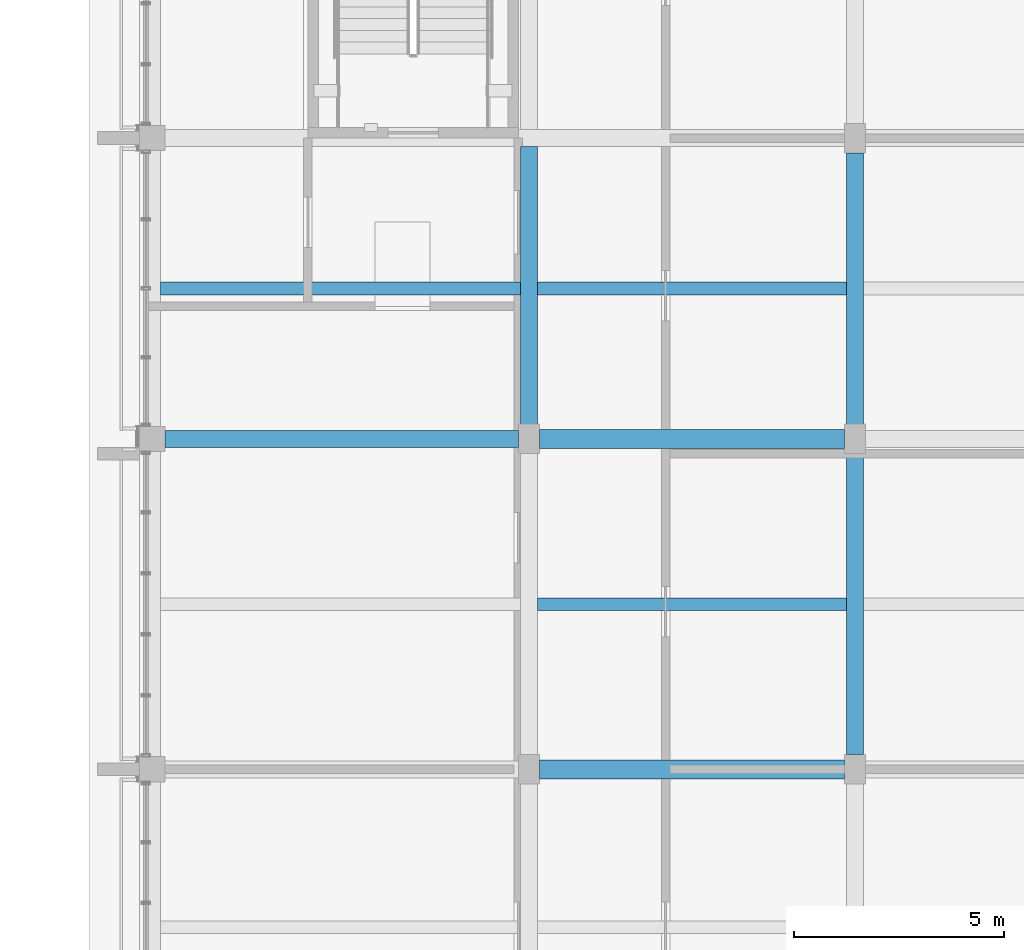
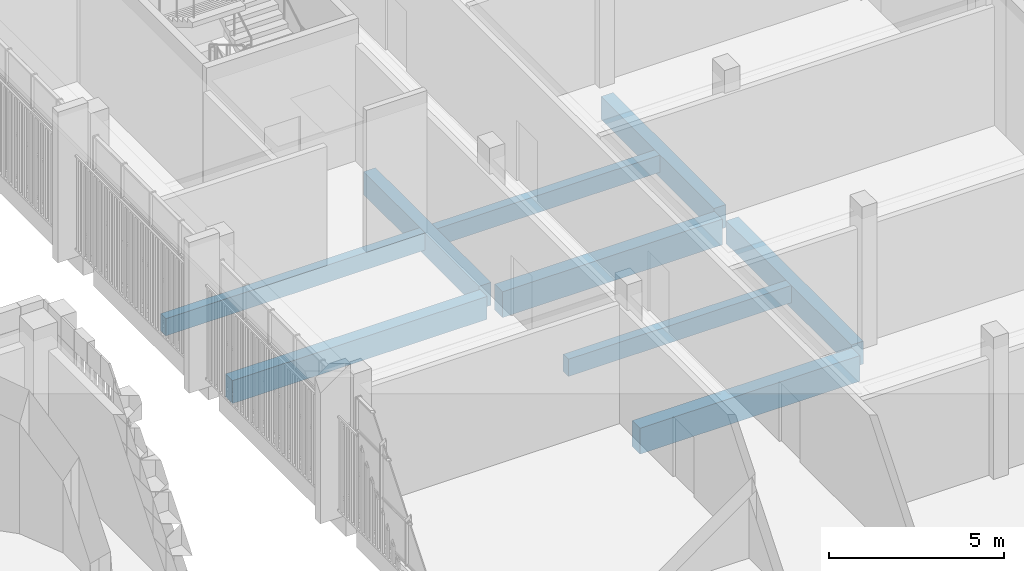
# One storey, part 33 of 125: 9 beams.
"""IFC4 building model written with IfcOpenShell, lengths in metres."""

from ifc_helpers import new_model, si_unit, direction, frame, origin, origin_2d, place, context, subcontext, project, spatial, rectangle, extrude, material, material_profile, profile_set, type_object, element, save


model = new_model("IFC4")

# Units and contexts
model_context = context("Model", 3, precision=1e-05, world=origin(), true_north=direction((0.0, 1.0)))
body_context = subcontext(model_context, "Body", "Model", "MODEL_VIEW")
ifc_project = project(units=[si_unit("LENGTHUNIT", "METRE"), si_unit("AREAUNIT", "SQUARE_METRE"), si_unit("VOLUMEUNIT", "CUBIC_METRE"), si_unit("PLANEANGLEUNIT", "RADIAN"), si_unit("MASSUNIT", "GRAM", prefix="KILO")], contexts=[model_context])

# Site, building, storey
site_placement = place(None, origin())
site = spatial("IfcSite", under=ifc_project, at=site_placement, CompositionType="ELEMENT")
building_placement = place(site_placement, origin())
building = spatial("IfcBuilding", under=site, at=building_placement, Name="Sun Court Science Centre", CompositionType="ELEMENT")
storey_placement = place(building_placement, frame((0.0, 0.0, 6.0)))
storey = spatial("IfcBuildingStorey", under=building, at=storey_placement, Name="L01", CompositionType="ELEMENT", Elevation=6.0)

# Beams
ifc_material_1 = material(Name="Concrete C25/30", Category="concrete")
ifc_material_profile_1 = material_profile(ifc_material_1, rectangle(XDim=0.39990234375, YDim=0.800048828125, at=origin_2d()), Name="RC 400x800")
ifc_profile_set_1 = profile_set([ifc_material_profile_1], Name="Concrete C25/30")
beam_type_1 = type_object("IfcBeamType", Name="RC girder 400x800", PredefinedType="BEAM", material=ifc_profile_set_1)
beam_1_placement = place(storey_placement, frame((78.60009765625, 28.85009765625, -0.699951171875), z_axis=(1.0, 0.0, 0.0), x_axis=(0.0, 1.0, 0.0)))
element("IfcBeam", 1, at=beam_1_placement, inside=storey, type_object=beam_type_1, Name="Girder L01 row 4", PredefinedType="BEAM", context=body_context, shape_type="SweptSolid", body=[
    extrude(rectangle(XDim=0.39990234375, YDim=0.800048828125, at=origin_2d()), origin(), (0.0, 0.0, 1.0), 8.39990234375),
])
beam_2_placement = place(storey_placement, frame((87.25, 29.199951171875, -0.699951171875), z_axis=(0.0, 1.0, 0.0), x_axis=(-1.0, 0.0, 0.0)))
element("IfcBeam", 2, at=beam_2_placement, inside=storey, type_object=beam_type_1, Name="Girder L01 line 2", PredefinedType="BEAM", context=body_context, shape_type="SweptSolid", body=[
    extrude(rectangle(XDim=0.39990234375, YDim=0.800048828125, at=origin_2d()), origin(), (0.0, 0.0, 1.0), 6.60009765625),
])
beam_3_placement = place(storey_placement, frame((95.0, 21.35009765625, -0.699951171875), z_axis=(0.0, 1.0, 0.0), x_axis=(-1.0, 0.0, 0.0)))
element("IfcBeam", 3, at=beam_3_placement, inside=storey, type_object=beam_type_1, Name="Girder L01 line 3", PredefinedType="BEAM", context=body_context, shape_type="SweptSolid", body=[
    extrude(rectangle(XDim=0.39990234375, YDim=0.800048828125, at=origin_2d()), origin(), (0.0, 0.0, 1.0), 7.14990234375),
])
beam_4_placement = place(storey_placement, frame((95.0, 29.199951171875, -0.699951171875), z_axis=(0.0, 1.0, 0.0), x_axis=(-1.0, 0.0, 0.0)))
element("IfcBeam", 4, at=beam_4_placement, inside=storey, type_object=beam_type_1, Name="Girder L01 line 3", PredefinedType="BEAM", context=body_context, shape_type="SweptSolid", body=[
    extrude(rectangle(XDim=0.39990234375, YDim=0.800048828125, at=origin_2d()), origin(), (0.0, 0.0, 1.0), 6.449951171875),
])
ifc_material_2 = material(Name="Concrete C25/30", Category="concrete")
ifc_material_profile_2 = material_profile(ifc_material_2, rectangle(XDim=0.449951171875, YDim=0.89990234375, at=origin_2d()), Name="RC 450x900")
ifc_profile_set_2 = profile_set([ifc_material_profile_2], Name="Concrete C25/30")
beam_type_2 = type_object("IfcBeamType", Name="RC girder 450x900", PredefinedType="BEAM", material=ifc_profile_set_2)
for number, where, z_axis, x_axis, name in (
    (5, (87.5, 21.0, -0.75), (1.0, 0.0, 0.0), (0.0, 1.0, 0.0), "Girder L01 row 3"),
    (6, (87.5, 28.85009765625, -0.75), (1.0, 0.0, 0.0), (0.0, 1.0, 0.0), "Girder L01 row 4"),
):
    element("IfcBeam", number, at=place(storey_placement, frame(where, z_axis=z_axis, x_axis=x_axis)), inside=storey, type_object=beam_type_2, Name=name, PredefinedType="BEAM", context=body_context, shape_type="SweptSolid", body=[
        extrude(rectangle(XDim=0.449951171875, YDim=0.89990234375, at=origin_2d()), origin(), (0.0, 0.0, 1.0), 7.25),
    ])
ifc_material_3 = material(Name="Concrete C25/30", Category="concrete")
ifc_material_profile_3 = material_profile(ifc_material_3, rectangle(XDim=0.300048828125, YDim=0.60009765625, at=origin_2d()), Name="RC 300x600")
ifc_profile_set_3 = profile_set([ifc_material_profile_3], Name="Concrete C25/30")
beam_type_3 = type_object("IfcBeamType", Name="RC joist 300x600", PredefinedType="JOIST", material=ifc_profile_set_3)
beam_5_placement = place(storey_placement, frame((87.449951171875, 24.925048828125, -0.60009765625), z_axis=(1.0, 0.0, 0.0), x_axis=(0.0, 1.0, 0.0)))
element("IfcBeam", 7, at=beam_5_placement, inside=storey, type_object=beam_type_3, Name="Joist L01", PredefinedType="JOIST", context=body_context, shape_type="SweptSolid", body=[
    extrude(rectangle(XDim=0.300048828125, YDim=0.60009765625, at=origin_2d()), origin(), (0.0, 0.0, 1.0), 7.35009765625),
])
beam_6_placement = place(storey_placement, frame((78.5, 32.425048828125, -0.60009765625), z_axis=(1.0, 0.0, 0.0), x_axis=(0.0, 1.0, 0.0)))
element("IfcBeam", 8, at=beam_6_placement, inside=storey, type_object=beam_type_3, Name="Joist L01", PredefinedType="JOIST", context=body_context, shape_type="SweptSolid", body=[
    extrude(rectangle(XDim=0.300048828125, YDim=0.60009765625, at=origin_2d()), origin(), (0.0, 0.0, 1.0), 8.550048828125),
])
beam_7_placement = place(storey_placement, frame((87.449951171875, 32.425048828125, -0.60009765625), z_axis=(1.0, 0.0, 0.0), x_axis=(0.0, 1.0, 0.0)))
element("IfcBeam", 9, at=beam_7_placement, inside=storey, type_object=beam_type_3, Name="Joist L01", PredefinedType="JOIST", context=body_context, shape_type="SweptSolid", body=[
    extrude(rectangle(XDim=0.300048828125, YDim=0.60009765625, at=origin_2d()), origin(), (0.0, 0.0, 1.0), 7.35009765625),
])

save(model, "model.ifc")
